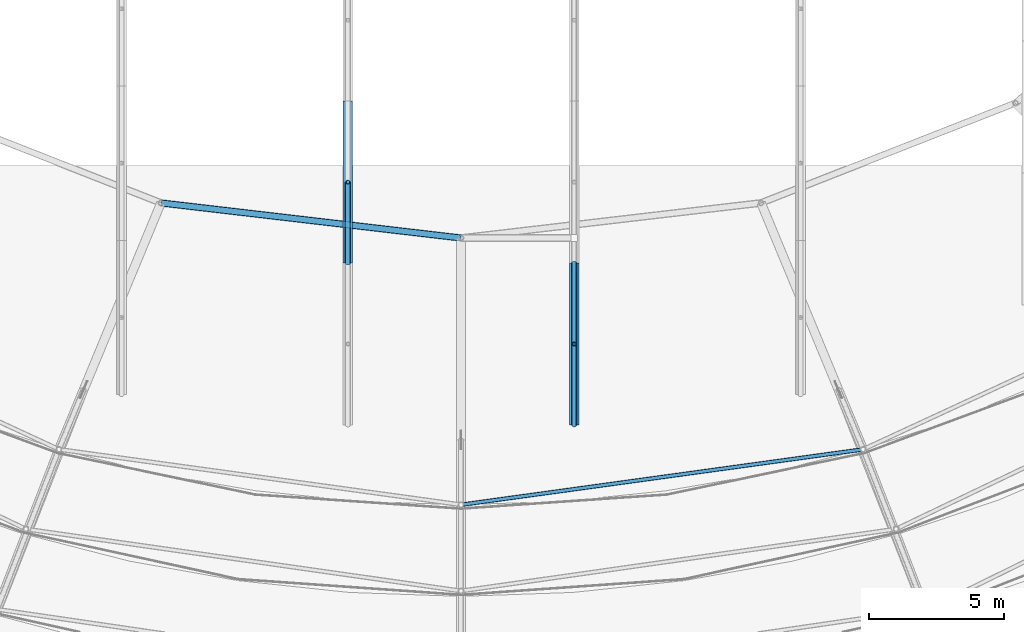
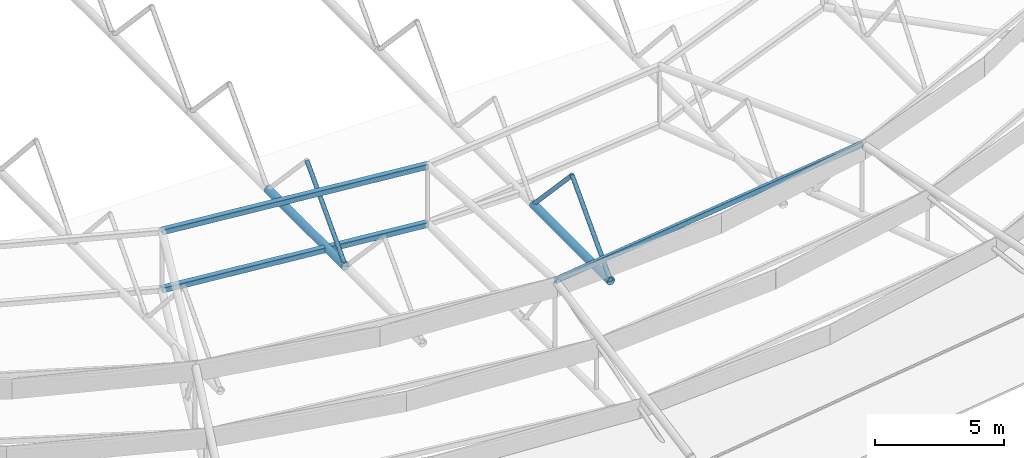
# One storey, part 15 of 134: 7 members, 1 beam.
"""IFC4 building model written with IfcOpenShell, lengths in metres."""

from ifc_helpers import new_model, si_unit, derived_unit, direction, frame, origin, origin_2d, place, context, subcontext, project, spatial, hollow_rectangle, hollow_circle, extrude, material, material_profile, profile_set, type_object, element, save


model = new_model("IFC4")

# Units and contexts
model_context = context("Model", 3, precision=1e-05, world=origin(), true_north=direction((0.0, 1.0)))
body_context = subcontext(model_context, "Body", "Model", "MODEL_VIEW")
ifc_project = project(units=[si_unit("LENGTHUNIT", "METRE"), si_unit("AREAUNIT", "SQUARE_METRE"), si_unit("VOLUMEUNIT", "CUBIC_METRE"), si_unit("PLANEANGLEUNIT", "RADIAN"), si_unit("MASSUNIT", "GRAM", prefix="KILO"), derived_unit("THERMALTRANSMITTANCEUNIT", [(si_unit("MASSUNIT", "GRAM", prefix="KILO"), 1), (si_unit("TIMEUNIT", "SECOND"), -3), (si_unit("THERMODYNAMICTEMPERATUREUNIT", "KELVIN"), -1)])], contexts=[model_context])

# Site, building, storey
site_placement = place(None, origin())
site = spatial("IfcSite", under=ifc_project, at=site_placement, CompositionType="ELEMENT")
building_placement = place(site_placement, origin())
building = spatial("IfcBuilding", under=site, at=building_placement, Name="Kharveza Railside Sports Centre", CompositionType="ELEMENT")
storey_placement = place(building_placement, frame((0.0, 0.0, 12.89990234375)))
storey = spatial("IfcBuildingStorey", under=building, at=storey_placement, Name="L03", CompositionType="ELEMENT", Elevation=12.89990234375)

# Beam
ifc_material = material(Name="Steel S355J2", Category="steel")
ifc_material_profile_1 = material_profile(ifc_material, hollow_rectangle(XDim=0.14990234375, YDim=0.25, WallThickness=0.010009765625, InnerFilletRadius=0.010009765625, OuterFilletRadius=0.02001953125, at=origin_2d()), Name="RHS 150x250x10.0")
ifc_profile_set_1 = profile_set([ifc_material_profile_1], Name="Steel S355J2")
beam_type = type_object("IfcBeamType", Name="BM-SP04", PredefinedType="SPANDREL", material=ifc_profile_set_1)
beam_placement = place(storey_placement, frame((54.60009765625, 23.39990234375, 3.255126953125), z_axis=(0.990649320943, 0.136432851303, 0.0), x_axis=(-0.136432851303, 0.990649320943, 0.0)))
element("IfcBeam", 1, at=beam_placement, inside=storey, type_object=beam_type, Name="BM-LIDRING-S4-13", PredefinedType="SPANDREL", context=body_context, shape_type="SweptSolid", body=[
    extrude(hollow_rectangle(XDim=0.14990234375, YDim=0.25, WallThickness=0.010009765625, InnerFilletRadius=0.010009765625, OuterFilletRadius=0.02001953125, at=origin_2d()), origin(), (0.0, 0.0, 1.0), 15.0654296875),
])

# Members
ifc_material_profile_2 = material_profile(ifc_material, hollow_circle(Radius=0.177734375, WallThickness=0.01611328125, at=origin_2d()), Name="CHS 355.6x16.0")
ifc_profile_set_2 = profile_set([ifc_material_profile_2], Name="Steel S355J2")
member_type_1 = type_object("IfcMemberType", Name="MB-CH01", PredefinedType="CHORD", material=ifc_profile_set_2)
for number, where, z_axis, x_axis, name in (
    (2, (50.39990234375, 32.37109375, -0.0498046875), (0.0, 1.0, 0.0), (-1.0, 0.0, 0.0), "MB-V1TR-BC-3-2"),
    (3, (58.800048828125, 26.361572265625, -0.0498046875), (0.0, 1.0, 0.0), (-1.0, 0.0, 0.0), "MB-V1TR-BC-4-1"),
):
    element("IfcMember", number, at=place(storey_placement, frame(where, z_axis=z_axis, x_axis=x_axis)), inside=storey, type_object=member_type_1, Name=name, PredefinedType="CHORD", context=body_context, shape_type="SweptSolid", body=[
        extrude(hollow_circle(Radius=0.177734375, WallThickness=0.01611328125, at=origin_2d()), origin(), (0.0, 0.0, 1.0), 6.009521484375),
    ])
ifc_material_profile_3 = material_profile(ifc_material, hollow_rectangle(XDim=0.25, YDim=0.25, WallThickness=0.012451171875, InnerFilletRadius=0.012451171875, OuterFilletRadius=0.02490234375, at=origin_2d()), Name="SHS 250x250x12.5")
ifc_profile_set_3 = profile_set([ifc_material_profile_3], Name="Steel S355J2")
member_type_2 = type_object("IfcMemberType", Name="MB-CH05", PredefinedType="CHORD", material=ifc_profile_set_3)
for number, where, z_axis, x_axis, name in (
    (4, (43.4638671875, 34.601806640625, -0.0498046875), (0.993237132314, -0.116103397849, 0.0), (0.116103397849, 0.993237132314, 0.0), "MB-INRING-BOT-12"),
    (5, (43.4638671875, 34.601806640625, 2.7001953125), (0.993237132314, -0.116103397849, 0.0), (0.116103397849, 0.993237132314, 0.0), "MB-INRING-TOP-12"),
):
    element("IfcMember", number, at=place(storey_placement, frame(where, z_axis=z_axis, x_axis=x_axis)), inside=storey, type_object=member_type_2, Name=name, PredefinedType="CHORD", context=body_context, shape_type="SweptSolid", body=[
        extrude(hollow_rectangle(XDim=0.25, YDim=0.25, WallThickness=0.012451171875, InnerFilletRadius=0.012451171875, OuterFilletRadius=0.02490234375, at=origin_2d()), origin(), (0.0, 0.0, 1.0), 11.212158203125),
    ])
ifc_material_profile_4 = material_profile(ifc_material, hollow_circle(Radius=0.096923828125, WallThickness=0.010009765625, at=origin_2d()), Name="CHS 193.7x10.0")
ifc_profile_set_4 = profile_set([ifc_material_profile_4], Name="Steel S355J2")
member_type_3 = type_object("IfcMemberType", Name="MB-ST02", PredefinedType="STRUT", material=ifc_profile_set_4)
member_1_placement = place(storey_placement, frame((50.39990234375, 32.37109375, -0.0498046875), z_axis=(0.0, 0.684538468084, 0.728976738802), x_axis=(-1.0, 0.0, 0.0)))
element("IfcMember", 6, at=member_1_placement, inside=storey, type_object=member_type_3, Name="MB-V1TR-D1-3-2", PredefinedType="STRUT", context=body_context, shape_type="SweptSolid", body=[
    extrude(hollow_circle(Radius=0.096923828125, WallThickness=0.010009765625, at=origin_2d()), origin(), (0.0, 0.0, 1.0), 4.3896484375),
])
member_2_placement = place(storey_placement, frame((58.800048828125, 26.361572265625, -0.0498046875), z_axis=(0.0, 0.684508910936, 0.729004493024), x_axis=(-1.0, 0.0, 0.0)))
element("IfcMember", 7, at=member_2_placement, inside=storey, type_object=member_type_3, Name="MB-V1TR-D1-4-1", PredefinedType="STRUT", context=body_context, shape_type="SweptSolid", body=[
    extrude(hollow_circle(Radius=0.096923828125, WallThickness=0.010009765625, at=origin_2d()), origin(), (0.0, 0.0, 1.0), 4.389404296875),
])
member_3_placement = place(storey_placement, frame((58.800048828125, 29.3662109375, 3.150146484375), z_axis=(0.0, 0.684538468084, -0.728976738802), x_axis=(-1.0, 0.0, 0.0)))
element("IfcMember", 8, at=member_3_placement, inside=storey, type_object=member_type_3, Name="MB-V1TR-D2-4-1", PredefinedType="STRUT", context=body_context, shape_type="SweptSolid", body=[
    extrude(hollow_circle(Radius=0.096923828125, WallThickness=0.010009765625, at=origin_2d()), origin(), (0.0, 0.0, 1.0), 4.3896484375),
])

save(model, "model.ifc")
